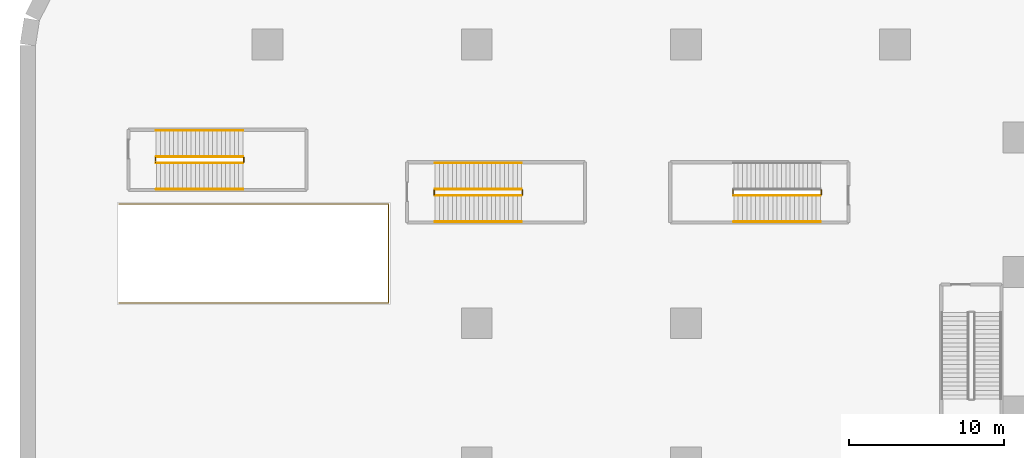
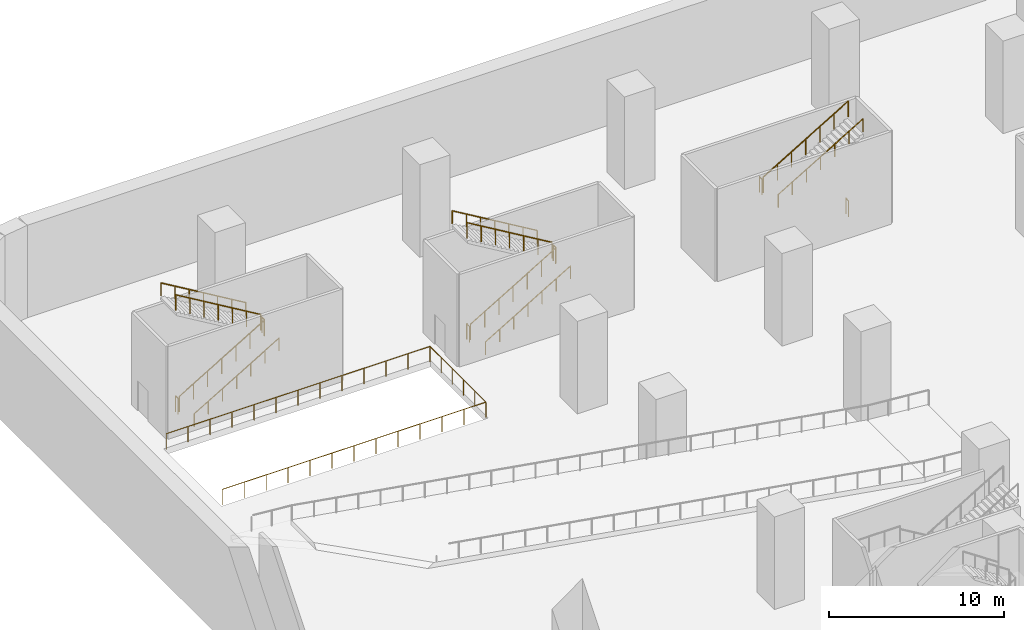
# One storey, part 30 of 37: 17 railings.
"""IFC4 building model written with IfcOpenShell, lengths in metres."""

from ifc_helpers import new_model, si_unit, direction, frame, origin, origin_2d, place, context, subcontext, project, spatial, circle, extrude, material, type_object, element, save


model = new_model("IFC4")

# Units and contexts
model_context = context("Model", 3, precision=1e-05, world=origin(), true_north=direction((0.0, 1.0)))
body_context = subcontext(model_context, "Body", "Model", "MODEL_VIEW")
ifc_project = project(units=[si_unit("LENGTHUNIT", "METRE"), si_unit("AREAUNIT", "SQUARE_METRE"), si_unit("VOLUMEUNIT", "CUBIC_METRE"), si_unit("PLANEANGLEUNIT", "RADIAN"), si_unit("MASSUNIT", "GRAM", prefix="KILO")], contexts=[model_context])

# Site, building, storey
site_placement = place(None, origin())
site = spatial("IfcSite", under=ifc_project, at=site_placement, CompositionType="ELEMENT")
building_placement = place(site_placement, origin())
building = spatial("IfcBuilding", under=site, at=building_placement, Name="Tamarind Cross Interchange Tower", CompositionType="ELEMENT")
storey_placement = place(building_placement, frame((0.0, 0.0, -7.0)))
storey = spatial("IfcBuildingStorey", under=building, at=storey_placement, Name="B1", CompositionType="ELEMENT", Elevation=-7.0)

# Railings
ifc_material_1 = material(Name="Public stair guard")
railing_type_1 = type_object("IfcRailingType", Name="Public stair guard", PredefinedType="GUARDRAIL", material=ifc_material_1)
railing_1_placement = place(storey_placement, frame((-43.199951171875, 44.25, 0.166748046875)))
element("IfcRailing", 1, at=railing_1_placement, inside=storey, type_object=railing_type_1, Name="B1 XS-P04 stair guard 1", PredefinedType="GUARDRAIL", context=body_context, shape_type="SweptSolid", body=[
    extrude(circle(Radius=0.02392578125, at=origin_2d()), frame((0.0, 0.0, 1.076171875), z_axis=(0.859292492371, 0.0, 0.511484518392), x_axis=(0.0, 1.0, 0.0)), (0.0, 0.0, 1.0), 6.516845703125),
    extrude(circle(Radius=0.02099609375, at=origin_2d()), origin(), (0.0, 0.0, 1.0), 1.052001953125),
    extrude(circle(Radius=0.02099609375, at=origin_2d()), frame((0.933349609375, 0.0, 0.5556640625)), (0.0, 0.0, 1.0), 1.052001953125),
    extrude(circle(Radius=0.02099609375, at=origin_2d()), frame((1.86669921875, 0.0, 1.111083984375)), (0.0, 0.0, 1.0), 1.052001953125),
    extrude(circle(Radius=0.02099609375, at=origin_2d()), frame((2.7998046875, 0.0, 1.66650390625)), (0.0, 0.0, 1.0), 1.052001953125),
    extrude(circle(Radius=0.02099609375, at=origin_2d()), frame((3.733154296875, 0.0, 2.22216796875)), (0.0, 0.0, 1.0), 1.052001953125),
    extrude(circle(Radius=0.02099609375, at=origin_2d()), frame((4.66650390625, 0.0, 2.77783203125)), (0.0, 0.0, 1.0), 1.052001953125),
    extrude(circle(Radius=0.02099609375, at=origin_2d()), frame((5.599853515625, 0.0, 3.333251953125)), (0.0, 0.0, 1.0), 1.052001953125),
])
railing_2_placement = place(storey_placement, frame((-37.550048828125, 44.300048828125, 3.5)))
element("IfcRailing", 2, at=railing_2_placement, inside=storey, type_object=railing_type_1, Name="B1 XS-P04 stair guard 2", PredefinedType="GUARDRAIL", context=body_context, shape_type="SweptSolid", body=[
    extrude(circle(Radius=0.02392578125, at=origin_2d()), frame((0.0, 0.0, 1.076171875), z_axis=(0.0, 1.0, 0.0), x_axis=(-1.0, 0.0, 0.0)), (0.0, 0.0, 1.0), 0.300048828125),
    extrude(circle(Radius=0.02099609375, at=origin_2d()), origin(), (0.0, 0.0, 1.0), 1.052001953125),
    extrude(circle(Radius=0.02099609375, at=origin_2d()), frame((0.0, 0.300048828125, 0.0)), (0.0, 0.0, 1.0), 1.052001953125),
])
railing_3_placement = place(storey_placement, frame((-37.60009765625, 44.64990234375, 3.666748046875)))
element("IfcRailing", 3, at=railing_3_placement, inside=storey, type_object=railing_type_1, Name="B1 XS-P04 stair guard 3", PredefinedType="GUARDRAIL", context=body_context, shape_type="SweptSolid", body=[
    extrude(circle(Radius=0.02392578125, at=origin_2d()), frame((0.0, 0.0, 1.076171875), z_axis=(-0.859292492371, 0.0, 0.511484518392), x_axis=(0.0, -1.0, 0.0)), (0.0, 0.0, 1.0), 6.516845703125),
    extrude(circle(Radius=0.02099609375, at=origin_2d()), origin(), (0.0, 0.0, 1.0), 1.052001953125),
    extrude(circle(Radius=0.02099609375, at=origin_2d()), frame((-0.933349609375, 0.0, 0.5556640625)), (0.0, 0.0, 1.0), 1.052001953125),
    extrude(circle(Radius=0.02099609375, at=origin_2d()), frame((-1.86669921875, 0.0, 1.111083984375)), (0.0, 0.0, 1.0), 1.052001953125),
    extrude(circle(Radius=0.02099609375, at=origin_2d()), frame((-2.7998046875, 0.0, 1.66650390625)), (0.0, 0.0, 1.0), 1.052001953125),
    extrude(circle(Radius=0.02099609375, at=origin_2d()), frame((-3.733154296875, 0.0, 2.22216796875)), (0.0, 0.0, 1.0), 1.052001953125),
    extrude(circle(Radius=0.02099609375, at=origin_2d()), frame((-4.66650390625, 0.0, 2.77783203125)), (0.0, 0.0, 1.0), 1.052001953125),
    extrude(circle(Radius=0.02099609375, at=origin_2d()), frame((-5.599853515625, 0.0, 3.333251953125)), (0.0, 0.0, 1.0), 1.052001953125),
])
railing_4_placement = place(storey_placement, frame((-43.25, 44.300048828125, 0.0)))
element("IfcRailing", 4, at=railing_4_placement, inside=storey, type_object=railing_type_1, Name="B1 XS-P04 stair guard 4", PredefinedType="GUARDRAIL", context=body_context, shape_type="SweptSolid", body=[
    extrude(circle(Radius=0.02392578125, at=origin_2d()), frame((0.0, 0.0, 1.076171875), z_axis=(0.0, 1.0, 0.0), x_axis=(-1.0, 0.0, 0.0)), (0.0, 0.0, 1.0), 0.300048828125),
    extrude(circle(Radius=0.02099609375, at=origin_2d()), origin(), (0.0, 0.0, 1.0), 1.052001953125),
    extrude(circle(Radius=0.02099609375, at=origin_2d()), frame((0.0, 0.300048828125, 0.0)), (0.0, 0.0, 1.0), 1.052001953125),
])
railing_5_placement = place(storey_placement, frame((-61.199951171875, 46.35009765625, 0.166748046875)))
element("IfcRailing", 5, at=railing_5_placement, inside=storey, type_object=railing_type_1, Name="B1 XS-P05 stair guard 1", PredefinedType="GUARDRAIL", context=body_context, shape_type="SweptSolid", body=[
    extrude(circle(Radius=0.02392578125, at=origin_2d()), frame((0.0, 0.0, 1.076171875), z_axis=(0.859292492371, 0.0, 0.511484518392), x_axis=(0.0, 1.0, 0.0)), (0.0, 0.0, 1.0), 6.516845703125),
    extrude(circle(Radius=0.02099609375, at=origin_2d()), origin(), (0.0, 0.0, 1.0), 1.052001953125),
    extrude(circle(Radius=0.02099609375, at=origin_2d()), frame((0.933349609375, 0.0, 0.5556640625)), (0.0, 0.0, 1.0), 1.052001953125),
    extrude(circle(Radius=0.02099609375, at=origin_2d()), frame((1.86669921875, 0.0, 1.111083984375)), (0.0, 0.0, 1.0), 1.052001953125),
    extrude(circle(Radius=0.02099609375, at=origin_2d()), frame((2.7998046875, 0.0, 1.66650390625)), (0.0, 0.0, 1.0), 1.052001953125),
    extrude(circle(Radius=0.02099609375, at=origin_2d()), frame((3.733154296875, 0.0, 2.22216796875)), (0.0, 0.0, 1.0), 1.052001953125),
    extrude(circle(Radius=0.02099609375, at=origin_2d()), frame((4.66650390625, 0.0, 2.77783203125)), (0.0, 0.0, 1.0), 1.052001953125),
    extrude(circle(Radius=0.02099609375, at=origin_2d()), frame((5.599853515625, 0.0, 3.333251953125)), (0.0, 0.0, 1.0), 1.052001953125),
])
railing_6_placement = place(storey_placement, frame((-55.550048828125, 46.39990234375, 3.5)))
element("IfcRailing", 6, at=railing_6_placement, inside=storey, type_object=railing_type_1, Name="B1 XS-P05 stair guard 2", PredefinedType="GUARDRAIL", context=body_context, shape_type="SweptSolid", body=[
    extrude(circle(Radius=0.02392578125, at=origin_2d()), frame((0.0, 0.0, 1.076171875), z_axis=(0.0, 1.0, 0.0), x_axis=(-1.0, 0.0, 0.0)), (0.0, 0.0, 1.0), 0.300048828125),
    extrude(circle(Radius=0.02099609375, at=origin_2d()), origin(), (0.0, 0.0, 1.0), 1.052001953125),
    extrude(circle(Radius=0.02099609375, at=origin_2d()), frame((0.0, 0.300048828125, 0.0)), (0.0, 0.0, 1.0), 1.052001953125),
])
railing_7_placement = place(storey_placement, frame((-55.60009765625, 46.75, 3.666748046875)))
element("IfcRailing", 7, at=railing_7_placement, inside=storey, type_object=railing_type_1, Name="B1 XS-P05 stair guard 3", PredefinedType="GUARDRAIL", context=body_context, shape_type="SweptSolid", body=[
    extrude(circle(Radius=0.02392578125, at=origin_2d()), frame((0.0, 0.0, 1.076171875), z_axis=(-0.859292492371, 0.0, 0.511484518392), x_axis=(0.0, -1.0, 0.0)), (0.0, 0.0, 1.0), 6.516845703125),
    extrude(circle(Radius=0.02099609375, at=origin_2d()), origin(), (0.0, 0.0, 1.0), 1.052001953125),
    extrude(circle(Radius=0.02099609375, at=origin_2d()), frame((-0.933349609375, 0.0, 0.5556640625)), (0.0, 0.0, 1.0), 1.052001953125),
    extrude(circle(Radius=0.02099609375, at=origin_2d()), frame((-1.86669921875, 0.0, 1.111083984375)), (0.0, 0.0, 1.0), 1.052001953125),
    extrude(circle(Radius=0.02099609375, at=origin_2d()), frame((-2.7998046875, 0.0, 1.66650390625)), (0.0, 0.0, 1.0), 1.052001953125),
    extrude(circle(Radius=0.02099609375, at=origin_2d()), frame((-3.733154296875, 0.0, 2.22216796875)), (0.0, 0.0, 1.0), 1.052001953125),
    extrude(circle(Radius=0.02099609375, at=origin_2d()), frame((-4.66650390625, 0.0, 2.77783203125)), (0.0, 0.0, 1.0), 1.052001953125),
    extrude(circle(Radius=0.02099609375, at=origin_2d()), frame((-5.599853515625, 0.0, 3.333251953125)), (0.0, 0.0, 1.0), 1.052001953125),
])
railing_8_placement = place(storey_placement, frame((-61.25, 46.39990234375, 0.0)))
element("IfcRailing", 8, at=railing_8_placement, inside=storey, type_object=railing_type_1, Name="B1 XS-P05 stair guard 4", PredefinedType="GUARDRAIL", context=body_context, shape_type="SweptSolid", body=[
    extrude(circle(Radius=0.02392578125, at=origin_2d()), frame((0.0, 0.0, 1.076171875), z_axis=(0.0, 1.0, 0.0), x_axis=(-1.0, 0.0, 0.0)), (0.0, 0.0, 1.0), 0.300048828125),
    extrude(circle(Radius=0.02099609375, at=origin_2d()), origin(), (0.0, 0.0, 1.0), 1.052001953125),
    extrude(circle(Radius=0.02099609375, at=origin_2d()), frame((0.0, 0.300048828125, 0.0)), (0.0, 0.0, 1.0), 1.052001953125),
])
railing_9_placement = place(storey_placement, frame((-23.949951171875, 44.60009765625, 3.5)))
element("IfcRailing", 9, at=railing_9_placement, inside=storey, type_object=railing_type_1, Name="B1 XS-P06 stair guard 2", PredefinedType="GUARDRAIL", context=body_context, shape_type="SweptSolid", body=[
    extrude(circle(Radius=0.02392578125, at=origin_2d()), frame((0.0, 0.0, 1.076171875), z_axis=(0.0, -1.0, 0.0), x_axis=(1.0, 0.0, 0.0)), (0.0, 0.0, 1.0), 0.300048828125),
    extrude(circle(Radius=0.02099609375, at=origin_2d()), origin(), (0.0, 0.0, 1.0), 1.052001953125),
    extrude(circle(Radius=0.02099609375, at=origin_2d()), frame((0.0, -0.300048828125, 0.0)), (0.0, 0.0, 1.0), 1.052001953125),
])
railing_10_placement = place(storey_placement, frame((-23.89990234375, 44.25, 3.666748046875)))
element("IfcRailing", 10, at=railing_10_placement, inside=storey, type_object=railing_type_1, Name="B1 XS-P06 stair guard 3", PredefinedType="GUARDRAIL", context=body_context, shape_type="SweptSolid", body=[
    extrude(circle(Radius=0.02392578125, at=origin_2d()), frame((0.0, 0.0, 1.076171875), z_axis=(0.859292492371, 0.0, 0.511484518392), x_axis=(0.0, 1.0, 0.0)), (0.0, 0.0, 1.0), 6.516845703125),
    extrude(circle(Radius=0.02099609375, at=origin_2d()), origin(), (0.0, 0.0, 1.0), 1.052001953125),
    extrude(circle(Radius=0.02099609375, at=origin_2d()), frame((0.933349609375, 0.0, 0.5556640625)), (0.0, 0.0, 1.0), 1.052001953125),
    extrude(circle(Radius=0.02099609375, at=origin_2d()), frame((1.86669921875, 0.0, 1.111083984375)), (0.0, 0.0, 1.0), 1.052001953125),
    extrude(circle(Radius=0.02099609375, at=origin_2d()), frame((2.7998046875, 0.0, 1.66650390625)), (0.0, 0.0, 1.0), 1.052001953125),
    extrude(circle(Radius=0.02099609375, at=origin_2d()), frame((3.733154296875, 0.0, 2.22216796875)), (0.0, 0.0, 1.0), 1.052001953125),
    extrude(circle(Radius=0.02099609375, at=origin_2d()), frame((4.66650390625, 0.0, 2.77783203125)), (0.0, 0.0, 1.0), 1.052001953125),
    extrude(circle(Radius=0.02099609375, at=origin_2d()), frame((5.599853515625, 0.0, 3.333251953125)), (0.0, 0.0, 1.0), 1.052001953125),
])
railing_11_placement = place(storey_placement, frame((-18.25, 44.60009765625, 0.0)))
element("IfcRailing", 11, at=railing_11_placement, inside=storey, type_object=railing_type_1, Name="B1 XS-P06 stair guard 4", PredefinedType="GUARDRAIL", context=body_context, shape_type="SweptSolid", body=[
    extrude(circle(Radius=0.02392578125, at=origin_2d()), frame((0.0, 0.0, 1.076171875), z_axis=(0.0, -1.0, 0.0), x_axis=(1.0, 0.0, 0.0)), (0.0, 0.0, 1.0), 0.300048828125),
    extrude(circle(Radius=0.02099609375, at=origin_2d()), origin(), (0.0, 0.0, 1.0), 1.052001953125),
    extrude(circle(Radius=0.02099609375, at=origin_2d()), frame((0.0, -0.300048828125, 0.0)), (0.0, 0.0, 1.0), 1.052001953125),
])
ifc_material_2 = material(Name="Public stair handrail")
railing_type_2 = type_object("IfcRailingType", Name="Public stair handrail", PredefinedType="HANDRAIL", material=ifc_material_2)
railing_12_placement = place(storey_placement, frame((-43.199951171875, 42.550048828125, 0.166748046875)))
element("IfcRailing", 12, at=railing_12_placement, inside=storey, type_object=railing_type_2, Name="B1 XS-P04 stair handrail 1", PredefinedType="HANDRAIL", context=body_context, shape_type="SweptSolid", body=[
    extrude(circle(Radius=0.02392578125, at=origin_2d()), frame((0.0, 0.0, 0.8759765625), z_axis=(0.859292492371, 0.0, 0.511484518392), x_axis=(0.0, 1.0, 0.0)), (0.0, 0.0, 1.0), 6.516845703125),
    extrude(circle(Radius=0.02099609375, at=origin_2d()), origin(), (0.0, 0.0, 1.0), 0.851806640625),
    extrude(circle(Radius=0.02099609375, at=origin_2d()), frame((0.933349609375, 0.0, 0.5556640625)), (0.0, 0.0, 1.0), 0.851806640625),
    extrude(circle(Radius=0.02099609375, at=origin_2d()), frame((1.86669921875, 0.0, 1.111083984375)), (0.0, 0.0, 1.0), 0.851806640625),
    extrude(circle(Radius=0.02099609375, at=origin_2d()), frame((2.7998046875, 0.0, 1.66650390625)), (0.0, 0.0, 1.0), 0.851806640625),
    extrude(circle(Radius=0.02099609375, at=origin_2d()), frame((3.733154296875, 0.0, 2.22216796875)), (0.0, 0.0, 1.0), 0.851806640625),
    extrude(circle(Radius=0.02099609375, at=origin_2d()), frame((4.66650390625, 0.0, 2.77783203125)), (0.0, 0.0, 1.0), 0.851806640625),
    extrude(circle(Radius=0.02099609375, at=origin_2d()), frame((5.599853515625, 0.0, 3.333251953125)), (0.0, 0.0, 1.0), 0.851806640625),
])
railing_13_placement = place(storey_placement, frame((-37.60009765625, 46.35009765625, 3.666748046875)))
element("IfcRailing", 13, at=railing_13_placement, inside=storey, type_object=railing_type_2, Name="B1 XS-P04 stair handrail 2", PredefinedType="HANDRAIL", context=body_context, shape_type="SweptSolid", body=[
    extrude(circle(Radius=0.02392578125, at=origin_2d()), frame((0.0, 0.0, 0.8759765625), z_axis=(-0.859292492371, 0.0, 0.511484518392), x_axis=(0.0, -1.0, 0.0)), (0.0, 0.0, 1.0), 6.516845703125),
    extrude(circle(Radius=0.02099609375, at=origin_2d()), origin(), (0.0, 0.0, 1.0), 0.851806640625),
    extrude(circle(Radius=0.02099609375, at=origin_2d()), frame((-0.933349609375, 0.0, 0.5556640625)), (0.0, 0.0, 1.0), 0.851806640625),
    extrude(circle(Radius=0.02099609375, at=origin_2d()), frame((-1.86669921875, 0.0, 1.111083984375)), (0.0, 0.0, 1.0), 0.851806640625),
    extrude(circle(Radius=0.02099609375, at=origin_2d()), frame((-2.7998046875, 0.0, 1.66650390625)), (0.0, 0.0, 1.0), 0.851806640625),
    extrude(circle(Radius=0.02099609375, at=origin_2d()), frame((-3.733154296875, 0.0, 2.22216796875)), (0.0, 0.0, 1.0), 0.851806640625),
    extrude(circle(Radius=0.02099609375, at=origin_2d()), frame((-4.66650390625, 0.0, 2.77783203125)), (0.0, 0.0, 1.0), 0.851806640625),
    extrude(circle(Radius=0.02099609375, at=origin_2d()), frame((-5.599853515625, 0.0, 3.333251953125)), (0.0, 0.0, 1.0), 0.851806640625),
])
railing_14_placement = place(storey_placement, frame((-61.199951171875, 44.64990234375, 0.166748046875)))
element("IfcRailing", 14, at=railing_14_placement, inside=storey, type_object=railing_type_2, Name="B1 XS-P05 stair handrail 1", PredefinedType="HANDRAIL", context=body_context, shape_type="SweptSolid", body=[
    extrude(circle(Radius=0.02392578125, at=origin_2d()), frame((0.0, 0.0, 0.8759765625), z_axis=(0.859292492371, 0.0, 0.511484518392), x_axis=(0.0, 1.0, 0.0)), (0.0, 0.0, 1.0), 6.516845703125),
    extrude(circle(Radius=0.02099609375, at=origin_2d()), origin(), (0.0, 0.0, 1.0), 0.851806640625),
    extrude(circle(Radius=0.02099609375, at=origin_2d()), frame((0.933349609375, 0.0, 0.5556640625)), (0.0, 0.0, 1.0), 0.851806640625),
    extrude(circle(Radius=0.02099609375, at=origin_2d()), frame((1.86669921875, 0.0, 1.111083984375)), (0.0, 0.0, 1.0), 0.851806640625),
    extrude(circle(Radius=0.02099609375, at=origin_2d()), frame((2.7998046875, 0.0, 1.66650390625)), (0.0, 0.0, 1.0), 0.851806640625),
    extrude(circle(Radius=0.02099609375, at=origin_2d()), frame((3.733154296875, 0.0, 2.22216796875)), (0.0, 0.0, 1.0), 0.851806640625),
    extrude(circle(Radius=0.02099609375, at=origin_2d()), frame((4.66650390625, 0.0, 2.77783203125)), (0.0, 0.0, 1.0), 0.851806640625),
    extrude(circle(Radius=0.02099609375, at=origin_2d()), frame((5.599853515625, 0.0, 3.333251953125)), (0.0, 0.0, 1.0), 0.851806640625),
])
railing_15_placement = place(storey_placement, frame((-55.60009765625, 48.449951171875, 3.666748046875)))
element("IfcRailing", 15, at=railing_15_placement, inside=storey, type_object=railing_type_2, Name="B1 XS-P05 stair handrail 2", PredefinedType="HANDRAIL", context=body_context, shape_type="SweptSolid", body=[
    extrude(circle(Radius=0.02392578125, at=origin_2d()), frame((0.0, 0.0, 0.8759765625), z_axis=(-0.859292492371, 0.0, 0.511484518392), x_axis=(0.0, -1.0, 0.0)), (0.0, 0.0, 1.0), 6.516845703125),
    extrude(circle(Radius=0.02099609375, at=origin_2d()), origin(), (0.0, 0.0, 1.0), 0.851806640625),
    extrude(circle(Radius=0.02099609375, at=origin_2d()), frame((-0.933349609375, 0.0, 0.5556640625)), (0.0, 0.0, 1.0), 0.851806640625),
    extrude(circle(Radius=0.02099609375, at=origin_2d()), frame((-1.86669921875, 0.0, 1.111083984375)), (0.0, 0.0, 1.0), 0.851806640625),
    extrude(circle(Radius=0.02099609375, at=origin_2d()), frame((-2.7998046875, 0.0, 1.66650390625)), (0.0, 0.0, 1.0), 0.851806640625),
    extrude(circle(Radius=0.02099609375, at=origin_2d()), frame((-3.733154296875, 0.0, 2.22216796875)), (0.0, 0.0, 1.0), 0.851806640625),
    extrude(circle(Radius=0.02099609375, at=origin_2d()), frame((-4.66650390625, 0.0, 2.77783203125)), (0.0, 0.0, 1.0), 0.851806640625),
    extrude(circle(Radius=0.02099609375, at=origin_2d()), frame((-5.599853515625, 0.0, 3.333251953125)), (0.0, 0.0, 1.0), 0.851806640625),
])
railing_16_placement = place(storey_placement, frame((-23.89990234375, 42.550048828125, 3.666748046875)))
element("IfcRailing", 16, at=railing_16_placement, inside=storey, type_object=railing_type_2, Name="B1 XS-P06 stair handrail 2", PredefinedType="HANDRAIL", context=body_context, shape_type="SweptSolid", body=[
    extrude(circle(Radius=0.02392578125, at=origin_2d()), frame((0.0, 0.0, 0.8759765625), z_axis=(0.859292492371, 0.0, 0.511484518392), x_axis=(0.0, 1.0, 0.0)), (0.0, 0.0, 1.0), 6.516845703125),
    extrude(circle(Radius=0.02099609375, at=origin_2d()), origin(), (0.0, 0.0, 1.0), 0.851806640625),
    extrude(circle(Radius=0.02099609375, at=origin_2d()), frame((0.933349609375, 0.0, 0.5556640625)), (0.0, 0.0, 1.0), 0.851806640625),
    extrude(circle(Radius=0.02099609375, at=origin_2d()), frame((1.86669921875, 0.0, 1.111083984375)), (0.0, 0.0, 1.0), 0.851806640625),
    extrude(circle(Radius=0.02099609375, at=origin_2d()), frame((2.7998046875, 0.0, 1.66650390625)), (0.0, 0.0, 1.0), 0.851806640625),
    extrude(circle(Radius=0.02099609375, at=origin_2d()), frame((3.733154296875, 0.0, 2.22216796875)), (0.0, 0.0, 1.0), 0.851806640625),
    extrude(circle(Radius=0.02099609375, at=origin_2d()), frame((4.66650390625, 0.0, 2.77783203125)), (0.0, 0.0, 1.0), 0.851806640625),
    extrude(circle(Radius=0.02099609375, at=origin_2d()), frame((5.599853515625, 0.0, 3.333251953125)), (0.0, 0.0, 1.0), 0.851806640625),
])
ifc_material_3 = material(Name="Steel Q355B", Category="steel")
railing_type_3 = type_object("IfcRailingType", Name="Slab opening guard", PredefinedType="GUARDRAIL", material=ifc_material_3)
railing_17_placement = place(storey_placement, frame((-63.60009765625, 43.699951171875, 0.0)))
element("IfcRailing", 17, at=railing_17_placement, inside=storey, type_object=railing_type_3, Name="B1 ramp opening guard 1", PredefinedType="GUARDRAIL", context=body_context, shape_type="SweptSolid", body=[
    extrude(circle(Radius=0.02392578125, at=origin_2d()), frame((0.0, 0.0, 1.076171875), z_axis=(1.0, 0.0, 0.0), x_axis=(0.0, 1.0, 0.0)), (0.0, 0.0, 1.0), 17.400146484375),
    extrude(circle(Radius=0.02392578125, at=origin_2d()), frame((17.400146484375, 0.0, 1.076171875), z_axis=(0.0, -1.0, 0.0), x_axis=(1.0, 0.0, 0.0)), (0.0, 0.0, 1.0), 6.39990234375),
    extrude(circle(Radius=0.02392578125, at=origin_2d()), frame((17.400146484375, -6.39990234375, 1.076171875), z_axis=(-1.0, 0.0, 0.0), x_axis=(0.0, -1.0, 0.0)), (0.0, 0.0, 1.0), 17.400146484375),
    extrude(circle(Radius=0.02099609375, at=origin_2d()), origin(), (0.0, 0.0, 1.0), 1.052001953125),
    extrude(circle(Radius=0.02099609375, at=origin_2d()), frame((1.449951171875, 0.0, 0.0)), (0.0, 0.0, 1.0), 1.052001953125),
    extrude(circle(Radius=0.02099609375, at=origin_2d()), frame((2.89990234375, 0.0, 0.0)), (0.0, 0.0, 1.0), 1.052001953125),
    extrude(circle(Radius=0.02099609375, at=origin_2d()), frame((4.35009765625, 0.0, 0.0)), (0.0, 0.0, 1.0), 1.052001953125),
    extrude(circle(Radius=0.02099609375, at=origin_2d()), frame((5.800048828125, 0.0, 0.0)), (0.0, 0.0, 1.0), 1.052001953125),
    extrude(circle(Radius=0.02099609375, at=origin_2d()), frame((7.25, 0.0, 0.0)), (0.0, 0.0, 1.0), 1.052001953125),
    extrude(circle(Radius=0.02099609375, at=origin_2d()), frame((8.7001953125, 0.0, 0.0)), (0.0, 0.0, 1.0), 1.052001953125),
    extrude(circle(Radius=0.02099609375, at=origin_2d()), frame((10.150146484375, 0.0, 0.0)), (0.0, 0.0, 1.0), 1.052001953125),
    extrude(circle(Radius=0.02099609375, at=origin_2d()), frame((11.60009765625, 0.0, 0.0)), (0.0, 0.0, 1.0), 1.052001953125),
    extrude(circle(Radius=0.02099609375, at=origin_2d()), frame((13.050048828125, 0.0, 0.0)), (0.0, 0.0, 1.0), 1.052001953125),
    extrude(circle(Radius=0.02099609375, at=origin_2d()), frame((14.5, 0.0, 0.0)), (0.0, 0.0, 1.0), 1.052001953125),
    extrude(circle(Radius=0.02099609375, at=origin_2d()), frame((15.9501953125, 0.0, 0.0)), (0.0, 0.0, 1.0), 1.052001953125),
    extrude(circle(Radius=0.02099609375, at=origin_2d()), frame((17.400146484375, 0.0, 0.0)), (0.0, 0.0, 1.0), 1.052001953125),
    extrude(circle(Radius=0.02099609375, at=origin_2d()), frame((17.400146484375, -1.280029296875, 0.0)), (0.0, 0.0, 1.0), 1.052001953125),
    extrude(circle(Radius=0.02099609375, at=origin_2d()), frame((17.400146484375, -2.56005859375, 0.0)), (0.0, 0.0, 1.0), 1.052001953125),
    extrude(circle(Radius=0.02099609375, at=origin_2d()), frame((17.400146484375, -3.83984375, 0.0)), (0.0, 0.0, 1.0), 1.052001953125),
    extrude(circle(Radius=0.02099609375, at=origin_2d()), frame((17.400146484375, -5.119873046875, 0.0)), (0.0, 0.0, 1.0), 1.052001953125),
    extrude(circle(Radius=0.02099609375, at=origin_2d()), frame((17.400146484375, -6.39990234375, 0.0)), (0.0, 0.0, 1.0), 1.052001953125),
    extrude(circle(Radius=0.02099609375, at=origin_2d()), frame((15.9501953125, -6.39990234375, 0.0)), (0.0, 0.0, 1.0), 1.052001953125),
    extrude(circle(Radius=0.02099609375, at=origin_2d()), frame((14.5, -6.39990234375, 0.0)), (0.0, 0.0, 1.0), 1.052001953125),
    extrude(circle(Radius=0.02099609375, at=origin_2d()), frame((13.050048828125, -6.39990234375, 0.0)), (0.0, 0.0, 1.0), 1.052001953125),
    extrude(circle(Radius=0.02099609375, at=origin_2d()), frame((11.60009765625, -6.39990234375, 0.0)), (0.0, 0.0, 1.0), 1.052001953125),
    extrude(circle(Radius=0.02099609375, at=origin_2d()), frame((10.150146484375, -6.39990234375, 0.0)), (0.0, 0.0, 1.0), 1.052001953125),
    extrude(circle(Radius=0.02099609375, at=origin_2d()), frame((8.7001953125, -6.39990234375, 0.0)), (0.0, 0.0, 1.0), 1.052001953125),
    extrude(circle(Radius=0.02099609375, at=origin_2d()), frame((7.25, -6.39990234375, 0.0)), (0.0, 0.0, 1.0), 1.052001953125),
    extrude(circle(Radius=0.02099609375, at=origin_2d()), frame((5.800048828125, -6.39990234375, 0.0)), (0.0, 0.0, 1.0), 1.052001953125),
    extrude(circle(Radius=0.02099609375, at=origin_2d()), frame((4.35009765625, -6.39990234375, 0.0)), (0.0, 0.0, 1.0), 1.052001953125),
    extrude(circle(Radius=0.02099609375, at=origin_2d()), frame((2.89990234375, -6.39990234375, 0.0)), (0.0, 0.0, 1.0), 1.052001953125),
    extrude(circle(Radius=0.02099609375, at=origin_2d()), frame((1.449951171875, -6.39990234375, 0.0)), (0.0, 0.0, 1.0), 1.052001953125),
    extrude(circle(Radius=0.02099609375, at=origin_2d()), frame((0.0, -6.39990234375, 0.0)), (0.0, 0.0, 1.0), 1.052001953125),
])

save(model, "model.ifc")
